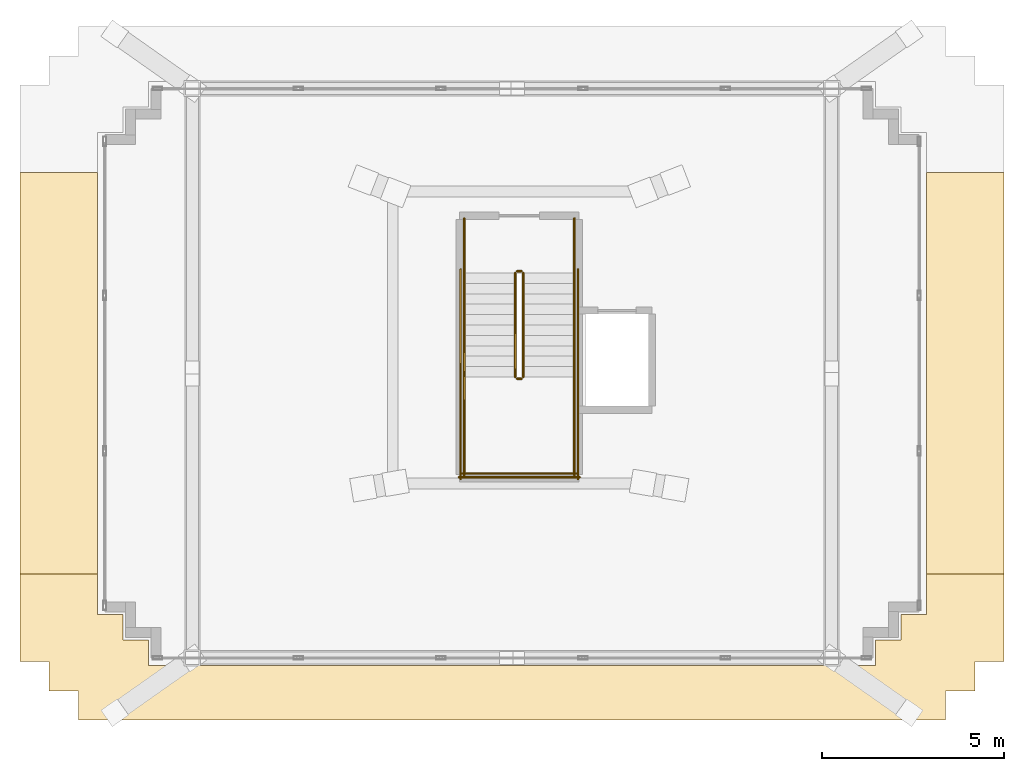
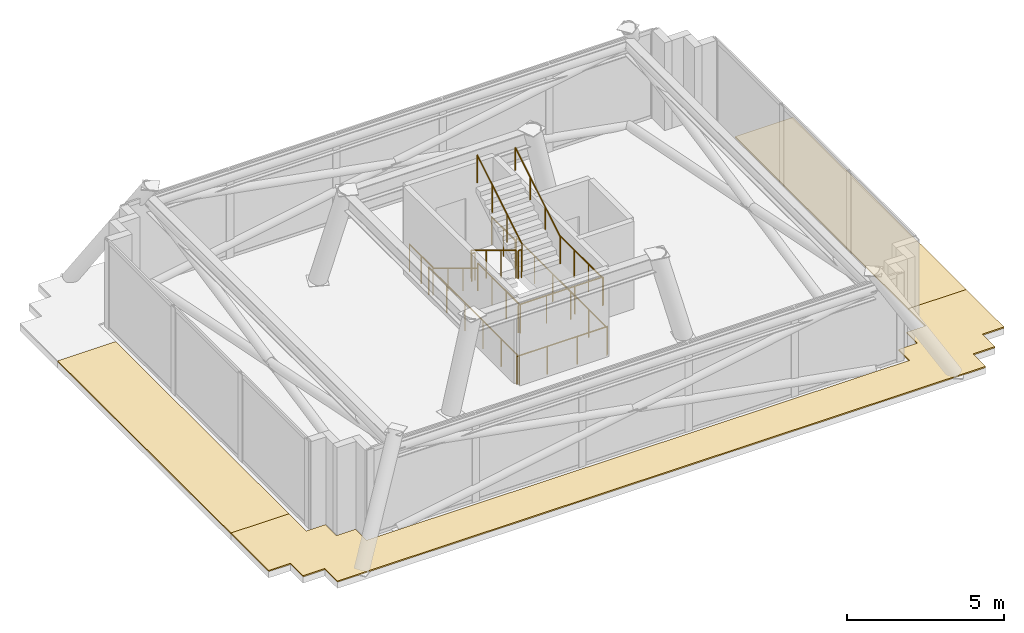
# One storey, part 7 of 8: 14 railings, 3 coverings.
"""IFC4 building model written with IfcOpenShell, lengths in metres."""

from ifc_helpers import new_model, si_unit, direction, frame, origin, origin_2d, place, context, subcontext, project, spatial, polyline, circle, outline, extrude, material, layer, layer_set, type_object, element, save


model = new_model("IFC4")

# Units and contexts
model_context = context("Model", 3, precision=1e-05, world=origin(), true_north=direction((0.0, 1.0)))
body_context = subcontext(model_context, "Body", "Model", "MODEL_VIEW")
ifc_project = project(units=[si_unit("LENGTHUNIT", "METRE"), si_unit("AREAUNIT", "SQUARE_METRE"), si_unit("VOLUMEUNIT", "CUBIC_METRE"), si_unit("PLANEANGLEUNIT", "RADIAN"), si_unit("MASSUNIT", "GRAM", prefix="KILO")], contexts=[model_context])

# Site, building, storey
site_placement = place(None, origin())
site = spatial("IfcSite", under=ifc_project, at=site_placement, CompositionType="ELEMENT")
building_placement = place(site_placement, origin())
building = spatial("IfcBuilding", under=site, at=building_placement, Name="Qobustan Lattice House", CompositionType="ELEMENT")
storey_placement = place(building_placement, frame((0.0, 0.0, 289.199951171875)))
storey = spatial("IfcBuildingStorey", under=building, at=storey_placement, Name="L81", CompositionType="ELEMENT", Elevation=289.199951171875)

# Coverings
ifc_material_1 = material(Name="Insulated stone-ballasted roof membrane", Category="masonry")
ifc_layer = layer(ifc_material_1, 0.050048828125)
ifc_layer_set = layer_set([ifc_layer], Name="Insulated stone-ballasted roof membrane")
covering_type = type_object("IfcCoveringType", Name="COV-ROOF-MEMB", PredefinedType="ROOFING", material=ifc_layer_set)
covering_1_placement = place(storey_placement, origin())
element("IfcCovering", 1, at=covering_1_placement, inside=storey, type_object=covering_type, Name="L81 crown step roof membrane 1", PredefinedType="ROOFING", context=body_context, shape_type="SweptSolid", body=[
    extrude(outline(polyline([(-12.093505859375, -10.306396484375), (-12.093505859375, -11.1064453125), (11.693603515625, -11.1064453125), (11.693603515625, -10.306396484375), (12.493408203125, -10.306396484375), (12.493408203125, -9.506591796875), (13.29345703125, -9.506591796875), (13.29345703125, -7.1083984375), (11.16650390625, -7.1083984375), (11.16650390625, -8.20849609375), (10.466552734375, -8.20849609375), (10.466552734375, -8.908447265625), (9.7666015625, -8.908447265625), (9.7666015625, -9.6083984375), (-10.16650390625, -9.6083984375), (-10.16650390625, -8.908447265625), (-10.866455078125, -8.908447265625), (-10.866455078125, -8.20849609375), (-11.56640625, -8.20849609375), (-11.56640625, -7.1083984375), (-13.693603515625, -7.1083984375), (-13.693603515625, -9.506591796875), (-12.8935546875, -9.506591796875), (-12.8935546875, -10.306396484375), (-12.093505859375, -10.306396484375)])), origin(), (0.0, 0.0, 1.0), 0.050048828125),
])
covering_2_placement = place(storey_placement, origin())
element("IfcCovering", 2, at=covering_2_placement, inside=storey, type_object=covering_type, Name="L81 crown step roof membrane 3", PredefinedType="ROOFING", context=body_context, shape_type="SweptSolid", body=[
    extrude(outline(polyline([(-13.693603515625, -7.1083984375), (-11.56640625, -7.1083984375), (-11.56640625, 3.908447265625), (-13.693603515625, 3.908447265625), (-13.693603515625, -7.1083984375)])), origin(), (0.0, 0.0, 1.0), 0.050048828125),
])
covering_3_placement = place(storey_placement, origin())
element("IfcCovering", 3, at=covering_3_placement, inside=storey, type_object=covering_type, Name="L81 crown step roof membrane 4", PredefinedType="ROOFING", context=body_context, shape_type="SweptSolid", body=[
    extrude(outline(polyline([(13.29345703125, 3.908447265625), (11.16650390625, 3.908447265625), (11.16650390625, -7.1083984375), (13.29345703125, -7.1083984375), (13.29345703125, 3.908447265625)])), origin(), (0.0, 0.0, 1.0), 0.050048828125),
])

# Railings
ifc_material_2 = material(Name="Brushed stainless steel handrail", Category="steel")
railing_type_1 = type_object("IfcRailingType", Name="RAL-HR-920", PredefinedType="HANDRAIL", material=ifc_material_2)
railing_1_placement = place(storey_placement, frame((-1.510009765625, 1.14990234375, 0.1728515625)))
element("IfcRailing", 4, at=railing_1_placement, inside=storey, type_object=railing_type_1, Name="L81 ST-C1 stair handrail 1", PredefinedType="HANDRAIL", context=body_context, shape_type="SweptSolid", body=[
    extrude(circle(Radius=0.02392578125, at=origin_2d()), frame((0.0, 0.0, 0.8759765625), z_axis=(0.0, -0.855183070636, 0.518326070826), x_axis=(1.0, 0.0, 0.0)), (0.0, 0.0, 1.0), 3.33251953125),
    extrude(circle(Radius=0.02099609375, at=origin_2d()), origin(), (0.0, 0.0, 1.0), 0.851806640625),
    extrude(circle(Radius=0.02099609375, at=origin_2d()), frame((0.0, -0.949951171875, 0.57568359375)), (0.0, 0.0, 1.0), 0.851806640625),
    extrude(circle(Radius=0.02099609375, at=origin_2d()), frame((0.0, -1.89990234375, 1.151611328125)), (0.0, 0.0, 1.0), 0.851806640625),
    extrude(circle(Radius=0.02099609375, at=origin_2d()), frame((0.0, -2.849853515625, 1.727294921875)), (0.0, 0.0, 1.0), 0.851806640625),
])
railing_2_placement = place(storey_placement, frame((1.510009765625, -1.699951171875, 2.07275390625)))
element("IfcRailing", 5, at=railing_2_placement, inside=storey, type_object=railing_type_1, Name="L81 ST-C1 stair handrail 2", PredefinedType="HANDRAIL", context=body_context, shape_type="SweptSolid", body=[
    extrude(circle(Radius=0.02392578125, at=origin_2d()), frame((0.0, 0.0, 0.8759765625), z_axis=(0.0, 0.855183070636, 0.518326070826), x_axis=(-1.0, 0.0, 0.0)), (0.0, 0.0, 1.0), 3.33251953125),
    extrude(circle(Radius=0.02099609375, at=origin_2d()), origin(), (0.0, 0.0, 1.0), 0.851806640625),
    extrude(circle(Radius=0.02099609375, at=origin_2d()), frame((0.0, 0.949951171875, 0.57568359375)), (0.0, 0.0, 1.0), 0.851806640625),
    extrude(circle(Radius=0.02099609375, at=origin_2d()), frame((0.0, 1.89990234375, 1.151611328125)), (0.0, 0.0, 1.0), 0.851806640625),
    extrude(circle(Radius=0.02099609375, at=origin_2d()), frame((0.0, 2.849853515625, 1.727294921875)), (0.0, 0.0, 1.0), 0.851806640625),
])
ifc_material_3 = material(Name="Painted galvanized steel guardrail", Category="steel")
railing_type_2 = type_object("IfcRailingType", Name="RAL-STG-1150", PredefinedType="GUARDRAIL", material=ifc_material_3)
railing_3_placement = place(storey_placement, frame((-0.110107421875, 1.14990234375, 0.1728515625)))
element("IfcRailing", 6, at=railing_3_placement, inside=storey, type_object=railing_type_2, Name="L81 ST-C1 stair guard 1", PredefinedType="GUARDRAIL", context=body_context, shape_type="SweptSolid", body=[
    extrude(circle(Radius=0.02392578125, at=origin_2d()), frame((0.0, 0.0, 1.076171875), z_axis=(0.0, -0.855183070636, 0.518326070826), x_axis=(1.0, 0.0, 0.0)), (0.0, 0.0, 1.0), 3.33251953125),
    extrude(circle(Radius=0.02099609375, at=origin_2d()), origin(), (0.0, 0.0, 1.0), 1.052001953125),
    extrude(circle(Radius=0.02099609375, at=origin_2d()), frame((0.0, -0.949951171875, 0.57568359375)), (0.0, 0.0, 1.0), 1.052001953125),
    extrude(circle(Radius=0.02099609375, at=origin_2d()), frame((0.0, -1.89990234375, 1.151611328125)), (0.0, 0.0, 1.0), 1.052001953125),
    extrude(circle(Radius=0.02099609375, at=origin_2d()), frame((0.0, -2.849853515625, 1.727294921875)), (0.0, 0.0, 1.0), 1.052001953125),
])
railing_4_placement = place(storey_placement, frame((-0.06005859375, -1.75, 1.900146484375)))
element("IfcRailing", 7, at=railing_4_placement, inside=storey, type_object=railing_type_2, Name="L81 ST-C1 stair guard 2", PredefinedType="GUARDRAIL", context=body_context, shape_type="SweptSolid", body=[
    extrude(circle(Radius=0.02392578125, at=origin_2d()), frame((0.0, 0.0, 1.076171875), z_axis=(1.0, 0.0, 0.0), x_axis=(0.0, 1.0, 0.0)), (0.0, 0.0, 1.0), 0.1201171875),
    extrude(circle(Radius=0.02099609375, at=origin_2d()), origin(), (0.0, 0.0, 1.0), 1.052001953125),
    extrude(circle(Radius=0.02099609375, at=origin_2d()), frame((0.1201171875, 0.0, 0.0)), (0.0, 0.0, 1.0), 1.052001953125),
])
for number, where, name in (
    (8, (-1.510009765625, -1.699951171875, 1.900146484375), "L81 ST-C1 stair guard 3"),
    (9, (1.510009765625, -1.699951171875, 1.900146484375), "L81 ST-C1 stair guard 4"),
):
    element("IfcRailing", number, at=place(storey_placement, frame(where)), inside=storey, type_object=railing_type_2, Name=name, PredefinedType="GUARDRAIL", context=body_context, shape_type="SweptSolid", body=[
        extrude(circle(Radius=0.02392578125, at=origin_2d()), frame((0.0, 0.0, 1.076171875), z_axis=(0.0, -1.0, 0.0), x_axis=(1.0, 0.0, 0.0)), (0.0, 0.0, 1.0), 2.699951171875),
        extrude(circle(Radius=0.02099609375, at=origin_2d()), origin(), (0.0, 0.0, 1.0), 1.052001953125),
        extrude(circle(Radius=0.02099609375, at=origin_2d()), frame((0.0, -0.89990234375, 0.0)), (0.0, 0.0, 1.0), 1.052001953125),
        extrude(circle(Radius=0.02099609375, at=origin_2d()), frame((0.0, -1.800048828125, 0.0)), (0.0, 0.0, 1.0), 1.052001953125),
        extrude(circle(Radius=0.02099609375, at=origin_2d()), frame((0.0, -2.699951171875, 0.0)), (0.0, 0.0, 1.0), 1.052001953125),
    ])
railing_5_placement = place(storey_placement, frame((-1.56005859375, -4.35009765625, 1.900146484375)))
element("IfcRailing", 10, at=railing_5_placement, inside=storey, type_object=railing_type_2, Name="L81 ST-C1 stair guard 5", PredefinedType="GUARDRAIL", context=body_context, shape_type="SweptSolid", body=[
    extrude(circle(Radius=0.02392578125, at=origin_2d()), frame((0.0, 0.0, 1.076171875), z_axis=(1.0, 0.0, 0.0), x_axis=(0.0, 1.0, 0.0)), (0.0, 0.0, 1.0), 3.1201171875),
    extrude(circle(Radius=0.02099609375, at=origin_2d()), origin(), (0.0, 0.0, 1.0), 1.052001953125),
    extrude(circle(Radius=0.02099609375, at=origin_2d()), frame((1.0400390625, 0.0, 0.0)), (0.0, 0.0, 1.0), 1.052001953125),
    extrude(circle(Radius=0.02099609375, at=origin_2d()), frame((2.080078125, 0.0, 0.0)), (0.0, 0.0, 1.0), 1.052001953125),
    extrude(circle(Radius=0.02099609375, at=origin_2d()), frame((3.1201171875, 0.0, 0.0)), (0.0, 0.0, 1.0), 1.052001953125),
])
railing_6_placement = place(storey_placement, frame((0.110107421875, -1.699951171875, 2.07275390625)))
element("IfcRailing", 11, at=railing_6_placement, inside=storey, type_object=railing_type_2, Name="L81 ST-C1 stair guard 6", PredefinedType="GUARDRAIL", context=body_context, shape_type="SweptSolid", body=[
    extrude(circle(Radius=0.02392578125, at=origin_2d()), frame((0.0, 0.0, 1.076171875), z_axis=(0.0, 0.855183070636, 0.518326070826), x_axis=(-1.0, 0.0, 0.0)), (0.0, 0.0, 1.0), 3.33251953125),
    extrude(circle(Radius=0.02099609375, at=origin_2d()), origin(), (0.0, 0.0, 1.0), 1.052001953125),
    extrude(circle(Radius=0.02099609375, at=origin_2d()), frame((0.0, 0.949951171875, 0.57568359375)), (0.0, 0.0, 1.0), 1.052001953125),
    extrude(circle(Radius=0.02099609375, at=origin_2d()), frame((0.0, 1.89990234375, 1.151611328125)), (0.0, 0.0, 1.0), 1.052001953125),
    extrude(circle(Radius=0.02099609375, at=origin_2d()), frame((0.0, 2.849853515625, 1.727294921875)), (0.0, 0.0, 1.0), 1.052001953125),
])
railing_7_placement = place(storey_placement, frame((-0.06005859375, 1.199951171875, 0.0)))
element("IfcRailing", 12, at=railing_7_placement, inside=storey, type_object=railing_type_2, Name="L81 ST-C1 stair guard 7", PredefinedType="GUARDRAIL", context=body_context, shape_type="SweptSolid", body=[
    extrude(circle(Radius=0.02392578125, at=origin_2d()), frame((0.0, 0.0, 1.076171875), z_axis=(1.0, 0.0, 0.0), x_axis=(0.0, 1.0, 0.0)), (0.0, 0.0, 1.0), 0.1201171875),
    extrude(circle(Radius=0.02099609375, at=origin_2d()), origin(), (0.0, 0.0, 1.0), 1.052001953125),
    extrude(circle(Radius=0.02099609375, at=origin_2d()), frame((0.1201171875, 0.0, 0.0)), (0.0, 0.0, 1.0), 1.052001953125),
])
for number, where, name in (
    (13, (-1.510009765625, 2.64990234375, 0.0), "L81 ST-C1 stair guard 8"),
    (14, (1.510009765625, 2.64990234375, 0.0), "L81 ST-C1 stair guard 9"),
):
    element("IfcRailing", number, at=place(storey_placement, frame(where)), inside=storey, type_object=railing_type_2, Name=name, PredefinedType="GUARDRAIL", context=body_context, shape_type="SweptSolid", body=[
        extrude(circle(Radius=0.02392578125, at=origin_2d()), frame((0.0, 0.0, 1.076171875), z_axis=(0.0, -1.0, 0.0), x_axis=(1.0, 0.0, 0.0)), (0.0, 0.0, 1.0), 1.5),
        extrude(circle(Radius=0.02099609375, at=origin_2d()), origin(), (0.0, 0.0, 1.0), 1.052001953125),
        extrude(circle(Radius=0.02099609375, at=origin_2d()), frame((0.0, -0.75, 0.0)), (0.0, 0.0, 1.0), 1.052001953125),
        extrude(circle(Radius=0.02099609375, at=origin_2d()), frame((0.0, -1.5, 0.0)), (0.0, 0.0, 1.0), 1.052001953125),
    ])
for number, where, name in (
    (15, (-1.610107421875, 1.25, 0.0), "L81 ST-C1 stair guard 10"),
    (16, (1.610107421875, 1.25, 0.0), "L81 ST-C1 stair guard 11"),
):
    element("IfcRailing", number, at=place(storey_placement, frame(where)), inside=storey, type_object=railing_type_2, Name=name, PredefinedType="GUARDRAIL", context=body_context, shape_type="SweptSolid", body=[
        extrude(circle(Radius=0.02392578125, at=origin_2d()), frame((0.0, 0.0, 1.076171875), z_axis=(0.0, -1.0, 0.0), x_axis=(1.0, 0.0, 0.0)), (0.0, 0.0, 1.0), 5.75),
        extrude(circle(Radius=0.02099609375, at=origin_2d()), origin(), (0.0, 0.0, 1.0), 1.052001953125),
        extrude(circle(Radius=0.02099609375, at=origin_2d()), frame((0.0, -1.14990234375, 0.0)), (0.0, 0.0, 1.0), 1.052001953125),
        extrude(circle(Radius=0.02099609375, at=origin_2d()), frame((0.0, -2.300048828125, 0.0)), (0.0, 0.0, 1.0), 1.052001953125),
        extrude(circle(Radius=0.02099609375, at=origin_2d()), frame((0.0, -3.449951171875, 0.0)), (0.0, 0.0, 1.0), 1.052001953125),
        extrude(circle(Radius=0.02099609375, at=origin_2d()), frame((0.0, -4.60009765625, 0.0)), (0.0, 0.0, 1.0), 1.052001953125),
        extrude(circle(Radius=0.02099609375, at=origin_2d()), frame((0.0, -5.75, 0.0)), (0.0, 0.0, 1.0), 1.052001953125),
    ])
railing_8_placement = place(storey_placement, frame((-1.659912109375, -4.449951171875, 0.0)))
element("IfcRailing", 17, at=railing_8_placement, inside=storey, type_object=railing_type_2, Name="L81 ST-C1 stair guard 12", PredefinedType="GUARDRAIL", context=body_context, shape_type="SweptSolid", body=[
    extrude(circle(Radius=0.02392578125, at=origin_2d()), frame((0.0, 0.0, 1.076171875), z_axis=(1.0, 0.0, 0.0), x_axis=(0.0, 1.0, 0.0)), (0.0, 0.0, 1.0), 3.31982421875),
    extrude(circle(Radius=0.02099609375, at=origin_2d()), origin(), (0.0, 0.0, 1.0), 1.052001953125),
    extrude(circle(Radius=0.02099609375, at=origin_2d()), frame((1.106689453125, 0.0, 0.0)), (0.0, 0.0, 1.0), 1.052001953125),
    extrude(circle(Radius=0.02099609375, at=origin_2d()), frame((2.213134765625, 0.0, 0.0)), (0.0, 0.0, 1.0), 1.052001953125),
    extrude(circle(Radius=0.02099609375, at=origin_2d()), frame((3.31982421875, 0.0, 0.0)), (0.0, 0.0, 1.0), 1.052001953125),
])

save(model, "model.ifc")
